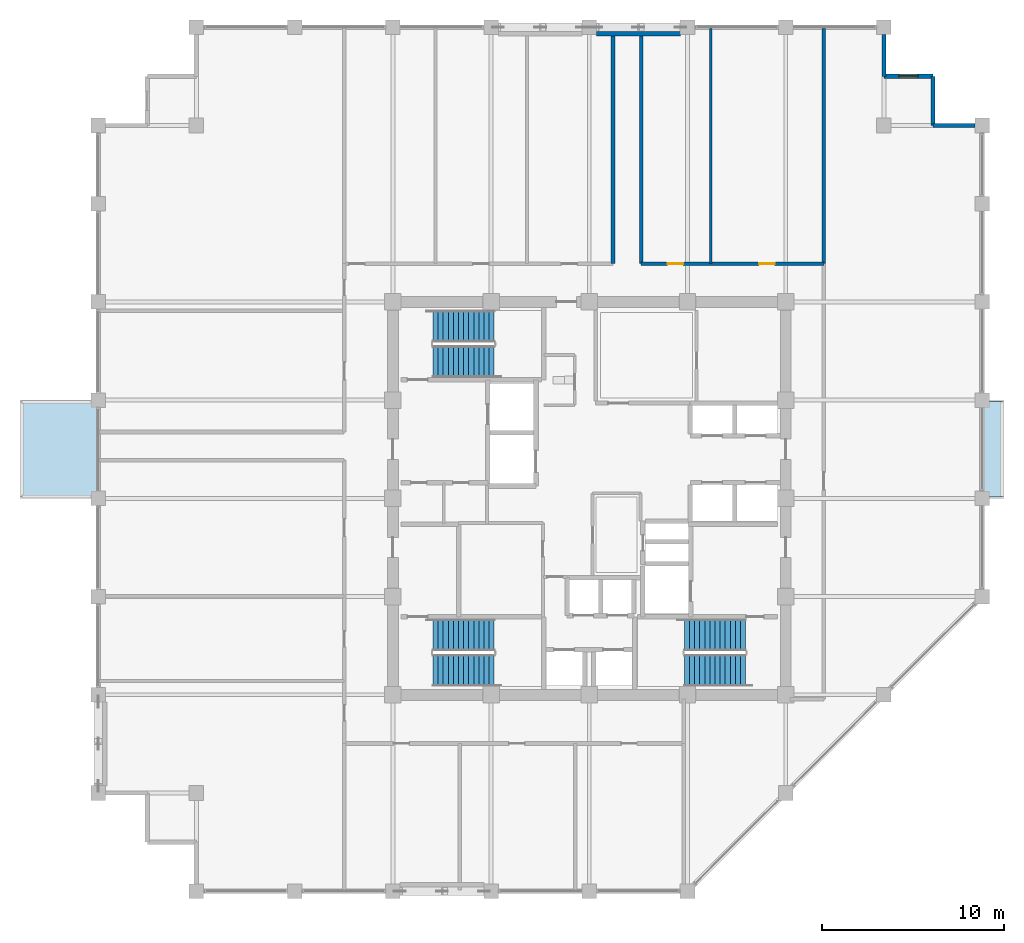
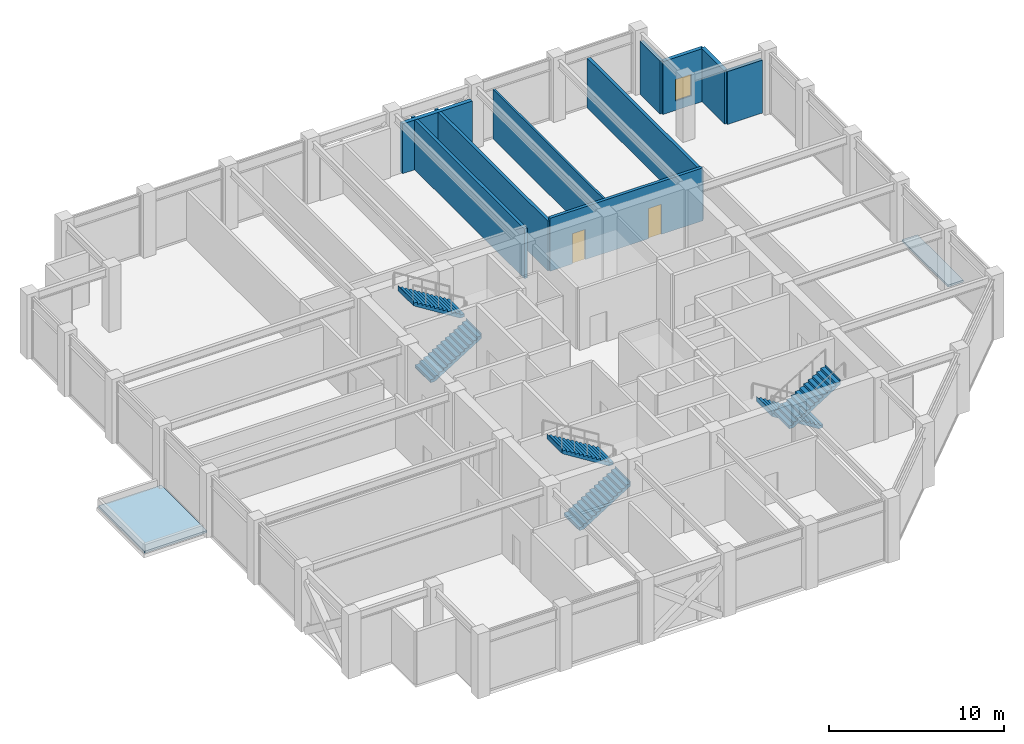
# One storey, part 26 of 28: 10 walls, 6 stair flights, 2 doors, 2 roofs, 1 window, 3 openings, 3 elements without a shape of their own.
"""IFC4 building model written with IfcOpenShell, lengths in metres."""

import ifcopenshell
import ifcopenshell.guid

model = None  # the IFC model being written
_history = None  # IfcOwnerHistory: only IFC2X3 demands one
_inside = {}  # id of a spatial element -> (the spatial element, [elements in it])
_under = {}  # id of a project, library or spatial element -> (it, [spatial elements below it])
_declared = {}  # id of a project -> (the project, [libraries it declares])
_typed = {}  # id of a type object -> (the type object, [elements of that type])
_made_of = {}  # id of a material, layer set ... -> (it, [elements and type objects made of it])


def new_model(schema):
    """Start an empty IFC model of exactly this schema.

    Asked for "IFC4X3", IfcOpenShell would pick the latest addendum, in which some entities
    have other attributes; the version numbers below select the first issue.
    IFC2X3 requires an IfcOwnerHistory on every rooted entity: one is made here for all.
    """
    global model, _history
    if schema == "IFC4X3":
        model = ifcopenshell.file(schema_version=(4, 3, 0, 0))
    else:
        model = ifcopenshell.file(schema=schema)
    _inside.clear()
    _under.clear()
    _declared.clear()
    _typed.clear()
    _made_of.clear()
    _history = None
    if model.schema == "IFC2X3":
        org = make("IfcOrganization", Name="unknown")
        user = make(
            "IfcPersonAndOrganization",
            ThePerson=make("IfcPerson", FamilyName="unknown"),
            TheOrganization=org,
        )
        app = make(
            "IfcApplication",
            ApplicationDeveloper=org,
            Version="unknown",
            ApplicationFullName="unknown",
            ApplicationIdentifier="unknown",
        )
        _history = make(
            "IfcOwnerHistory",
            OwningUser=user,
            OwningApplication=app,
            ChangeAction="ADDED",
            CreationDate=0,
        )
    return model


def make(cls, **values):
    """One entity of the class cls with the attributes given. An attribute that is None is left unset."""
    return model.create_entity(
        cls, **{name: value for name, value in values.items() if value is not None}
    )


def rooted(cls, **values):
    """An entity with a GlobalId (a new one), such as an element, a storey or a relation."""
    return make(cls, GlobalId=ifcopenshell.guid.new(), OwnerHistory=_history, **values)


def si_unit(unit_type, name, prefix=None):
    """IfcSIUnit, for example si_unit("LENGTHUNIT", "METRE", prefix="MILLI")."""
    return make("IfcSIUnit", UnitType=unit_type, Prefix=prefix, Name=name)


def assignment(units):
    """IfcUnitAssignment: the units of a project."""
    return None if units is None else make("IfcUnitAssignment", Units=units)


def point(xyz):
    """IfcCartesianPoint."""
    return None if xyz is None else make("IfcCartesianPoint", Coordinates=xyz)


def direction(xyz):
    """IfcDirection."""
    return None if xyz is None else make("IfcDirection", DirectionRatios=xyz)


def frame(location, z_axis=None, x_axis=None):
    """IfcAxis2Placement3D, a coordinate frame: its origin and axes. An axis left out is left unset."""
    return make(
        "IfcAxis2Placement3D",
        Location=point(location),
        Axis=direction(z_axis),
        RefDirection=direction(x_axis),
    )


def frame_2d(location, x_axis=None):
    """IfcAxis2Placement2D, a coordinate frame in the plane: its origin and x axis."""
    return make(
        "IfcAxis2Placement2D", Location=point(location), RefDirection=direction(x_axis)
    )


def origin():
    """The frame at (0, 0, 0) with its axes left unset."""
    return frame((0.0, 0.0, 0.0))


def place(relative_to, where):
    """IfcLocalPlacement: puts the frame where relative to a parent placement (None: the world)."""
    return make(
        "IfcLocalPlacement", PlacementRelTo=relative_to, RelativePlacement=where
    )


def context(
    kind, dimensions, precision=None, world=None, true_north=None, identifier=None
):
    """IfcGeometricRepresentationContext, for example the 3D "Model" context."""
    return make(
        "IfcGeometricRepresentationContext",
        ContextIdentifier=identifier,
        ContextType=kind,
        CoordinateSpaceDimension=dimensions,
        Precision=precision,
        WorldCoordinateSystem=world,
        TrueNorth=true_north,
    )


def subcontext(parent, identifier, kind, view, scale=None):
    """IfcGeometricRepresentationSubContext, for example "Body" below "Model"."""
    return make(
        "IfcGeometricRepresentationSubContext",
        ContextIdentifier=identifier,
        ContextType=kind,
        ParentContext=parent,
        TargetScale=scale,
        TargetView=view,
    )


def project(units=None, contexts=None):
    """IfcProject with its units and contexts."""
    return rooted(
        "IfcProject",
        Name="project",
        RepresentationContexts=contexts,
        UnitsInContext=assignment(units),
    )


def spatial(cls, under=None, at=None, **own):
    """A site, building, storey or space (cls), placed at a placement, below another one or the project."""
    s = rooted(cls, ObjectPlacement=at, **own)
    if under is not None:
        _under.setdefault(under.id(), (under, []))[1].append(s)
    return s


def polyline(points):
    """IfcPolyline through the points."""
    return make("IfcPolyline", Points=[point(p) for p in points])


def profile(cls, at=None, kind="AREA", **sizes):
    """A parametric profile (cls). Its sizes go by their IFC names, for example OverallWidth=200.0."""
    return make(cls, ProfileType=kind, Position=at, **sizes)


def rectangle(**sizes):
    """IfcRectangleProfileDef."""
    return profile("IfcRectangleProfileDef", **sizes)


def outline(outer, holes=None, kind="AREA"):
    """IfcArbitraryClosedProfileDef: a profile drawn as a closed curve; with holes, ...WithVoids."""
    if holes is None:
        return make("IfcArbitraryClosedProfileDef", ProfileType=kind, OuterCurve=outer)
    return make(
        "IfcArbitraryProfileDefWithVoids",
        ProfileType=kind,
        OuterCurve=outer,
        InnerCurves=holes,
    )


def extrude(swept, where, along, depth):
    """IfcExtrudedAreaSolid: the profile swept, set in the frame where, extruded along a direction by depth."""
    return make(
        "IfcExtrudedAreaSolid",
        SweptArea=swept,
        Position=where,
        ExtrudedDirection=direction(along),
        Depth=depth,
    )


def shape(context_of_items, identifier, shape_type, items):
    """IfcShapeRepresentation: the items that make up one representation, for example the "Body"."""
    return make(
        "IfcShapeRepresentation",
        ContextOfItems=context_of_items,
        RepresentationIdentifier=identifier,
        RepresentationType=shape_type,
        Items=items,
    )


def material(Name=None, Category=None):
    """IfcMaterial."""
    return make("IfcMaterial", Name=Name, Category=Category)


def layer(
    of_material, thickness, ventilated=None, Name=None, Category=None, Priority=None
):
    """IfcMaterialLayer: one layer of a wall or slab, of a material (None: an air gap)."""
    return make(
        "IfcMaterialLayer",
        Material=of_material,
        LayerThickness=thickness,
        IsVentilated=ventilated,
        Name=Name,
        Category=Category,
        Priority=Priority,
    )


def layer_set(layers, Name=None):
    """IfcMaterialLayerSet."""
    return make("IfcMaterialLayerSet", MaterialLayers=layers, LayerSetName=Name)


def made_of(thing, what):
    """Note that an element or type object is made of a material, layer set ...; save() writes the relation."""
    if what is not None:
        _made_of.setdefault(what.id(), (what, []))[1].append(thing)
    return thing


def type_object(cls, material=None, **own):
    """A type object (cls), such as IfcWallType, which elements share."""
    return made_of(rooted(cls, **own), material)


def element(
    cls,
    number,
    at=None,
    inside=None,
    cuts=None,
    type_object=None,
    material=None,
    context=None,
    identifier="Body",
    shape_type=None,
    held_by="IfcProductDefinitionShape",
    body=None,
    shapes=None,
    **own,
):
    """One element of the class cls, such as IfcWall. Its Tag is "e" and its number.

    at: its placement. inside: the storey or other place that contains it. cuts: it is an
    opening in that element (IfcRelVoidsElement). A single representation is given by context,
    identifier, shape_type and body (its items); several are given by shapes. held_by: the class
    of the entity that holds the representations. save() writes the other relations.
    """
    e = rooted(cls, Tag="e%d" % number, ObjectPlacement=at, **own)
    if body is not None:
        shapes = [shape(context, identifier, shape_type, body)]
    if shapes is not None:
        e.Representation = make(held_by, Representations=shapes)
    if inside is not None:
        _inside.setdefault(inside.id(), (inside, []))[1].append(e)
    if cuts is not None:
        rooted(
            "IfcRelVoidsElement", RelatingBuildingElement=cuts, RelatedOpeningElement=e
        )
    if type_object is not None:
        _typed.setdefault(type_object.id(), (type_object, []))[1].append(e)
    return made_of(e, material)


def fill(opening, filler):
    """IfcRelFillsElement: the door or window that sits in an opening."""
    return rooted(
        "IfcRelFillsElement",
        RelatingOpeningElement=opening,
        RelatedBuildingElement=filler,
    )


def aggregate(whole, parts):
    """IfcRelAggregates: a whole, such as a stair, and the parts it consists of."""
    return rooted("IfcRelAggregates", RelatingObject=whole, RelatedObjects=parts)


def save(model, path):
    """Write the relations noted so far, then the file.

    IfcRelAggregates (storeys below a building ...), IfcRelContainedInSpatialStructure (elements
    in a storey), IfcRelDefinesByType, IfcRelAssociatesMaterial and IfcRelDeclares: one each for
    every whole, place, type object, material and project.
    """
    for whole, parts in _under.values():
        aggregate(whole, parts)
    for where, things in _inside.values():
        rooted(
            "IfcRelContainedInSpatialStructure",
            RelatedElements=things,
            RelatingStructure=where,
        )
    for kind, things in _typed.values():
        rooted("IfcRelDefinesByType", RelatedObjects=things, RelatingType=kind)
    for what, things in _made_of.values():
        rooted("IfcRelAssociatesMaterial", RelatedObjects=things, RelatingMaterial=what)
    for by, libraries in _declared.values():
        rooted("IfcRelDeclares", RelatingContext=by, RelatedDefinitions=libraries)
    model.write(path)


model = new_model("IFC4")

# Units and contexts
model_context = context("Model", 3, precision=1e-05, world=origin(), true_north=direction((0.0, 1.0)))
body_context = subcontext(model_context, "Body", "Model", "MODEL_VIEW")
ifc_project = project(units=[si_unit("LENGTHUNIT", "METRE"), si_unit("AREAUNIT", "SQUARE_METRE"), si_unit("VOLUMEUNIT", "CUBIC_METRE"), si_unit("PLANEANGLEUNIT", "RADIAN"), si_unit("MASSUNIT", "GRAM", prefix="KILO")], contexts=[model_context])

# Site, building, storey
site_placement = place(None, origin())
site = spatial("IfcSite", under=ifc_project, at=site_placement, CompositionType="ELEMENT")
building_placement = place(site_placement, origin())
building = spatial("IfcBuilding", under=site, at=building_placement, Name="Surkhivell Harbour Commons", CompositionType="ELEMENT")
storey_placement = place(building_placement, frame((0.0, 0.0, 249.75)))
storey = spatial("IfcBuildingStorey", under=building, at=storey_placement, Name="L65", CompositionType="ELEMENT", Elevation=249.75)

# Walls
ifc_material_1 = material(Name="Pale-metal insulated precast concrete C45/55", Category="concrete")
ifc_layer_1 = layer(ifc_material_1, 0.260009765625)
ifc_layer_set_1 = layer_set([ifc_layer_1], Name="Pale-metal insulated precast concrete C45/55")
wall_type_1 = type_object("IfcWallType", Name="WAL-EXT-MTL260", PredefinedType="STANDARD", material=ifc_layer_set_1)
wall_1_placement = place(storey_placement, frame((5.001953125, 25.5400390625, 0.0), z_axis=(0.0, 0.0, 1.0), x_axis=(-1.0, 0.0, 0.0)))
element("IfcWall", 1, at=wall_1_placement, inside=storey, type_object=wall_type_1, Name="L65 Braced-Bay Insulated Spandrel Backing N2", PredefinedType="STANDARD", context=body_context, shape_type="SweptSolid", body=[
    extrude(rectangle(XDim=4.60400390625, YDim=0.260009765625, at=frame_2d((2.302001953125, 0.0))), origin(), (0.0, 0.0, 1.0), 3.4599609375),
])
ifc_material_2 = material(Name="Bronze-ochre cassette precast concrete C45/55", Category="concrete")
ifc_layer_2 = layer(ifc_material_2, 0.239990234375)
ifc_layer_set_2 = layer_set([ifc_layer_2], Name="Bronze-ochre cassette precast concrete C45/55")
wall_type_2 = type_object("IfcWallType", Name="WAL-EXT-OCH240", PredefinedType="STANDARD", material=ifc_layer_set_2)
wall_2_placement = place(storey_placement, frame((21.201904296875, 20.5, 0.0), z_axis=(0.0, 0.0, 1.0), x_axis=(-1.0, 0.0, 0.0)))
element("IfcWall", 2, at=wall_2_placement, inside=storey, type_object=wall_type_2, Name="L65 Serrated Corner Facade Wall 03", PredefinedType="STANDARD", context=body_context, shape_type="SweptSolid", body=[
    extrude(rectangle(XDim=2.302001953125, YDim=0.239990234375, at=frame_2d((1.15087890625, 0.0))), origin(), (0.0, 0.0, 1.0), 3.68603515625),
])
wall_3_placement = place(storey_placement, frame((18.89990234375, 20.5, 0.0), z_axis=(0.0, 0.0, 1.0), x_axis=(0.0, 1.0, 0.0)))
element("IfcWall", 3, at=wall_3_placement, inside=storey, type_object=wall_type_2, Name="L65 Serrated Corner Facade Wall 04", PredefinedType="STANDARD", context=body_context, shape_type="SweptSolid", body=[
    extrude(rectangle(XDim=2.699951171875, YDim=0.239990234375, at=frame_2d((1.35009765625, 0.0))), origin(), (0.0, 0.0, 1.0), 3.68603515625),
])

# Wall, opening, window
wall_4_placement = place(storey_placement, frame((18.89990234375, 23.199951171875, 0.0), z_axis=(0.0, 0.0, 1.0), x_axis=(-1.0, 0.0, 0.0)))
wall_4 = element("IfcWall", 4, at=wall_4_placement, inside=storey, type_object=wall_type_2, Name="L65 Serrated Corner Facade Wall 05", PredefinedType="STANDARD", context=body_context, shape_type="SweptSolid", body=[
    extrude(rectangle(XDim=2.699951171875, YDim=0.239990234375, at=frame_2d((1.35009765625, 0.0))), origin(), (0.0, 0.0, 1.0), 3.68603515625),
])
opening_1_placement = place(wall_4_placement, frame((0.824951171875, 0.0, 0.64990234375)))
opening_1 = element("IfcOpeningElement", 5, at=opening_1_placement, cuts=wall_4, Name="Opening WN-11", PredefinedType="OPENING", context=body_context, shape_type="SweptSolid", body=[
    extrude(rectangle(XDim=1.050048828125, YDim=1.5, at=frame_2d((0.52490234375, 0.75))), frame((0.0, 0.1298828125, 0.0), z_axis=(0.0, -1.0, 0.0), x_axis=(1.0, 0.0, 0.0)), (0.0, 0.0, 1.0), 0.260009765625),
])
ifc_material_3 = material(Name="Thermal-break aluminium frame and double low-E glazing", Category="aluminium")
window_type = type_object("IfcWindowType", Name="WIN-SER-1050x1500", PartitioningType="SINGLE_PANEL", PredefinedType="WINDOW", material=ifc_material_3)
window_placement = place(opening_1_placement, origin())
window = element("IfcWindow", 6, at=window_placement, inside=storey, type_object=window_type, Name="L65 Serrated Alcove Window 05", OverallHeight=1.5, OverallWidth=1.050048828125, PartitioningType="SINGLE_PANEL", PredefinedType="WINDOW", context=body_context, shape_type="SweptSolid", body=[
    extrude(rectangle(XDim=1.050048828125, YDim=1.5, at=frame_2d((0.52490234375, 0.75))), frame((0.0, 0.030029296875, 0.0), z_axis=(0.0, -1.0, 0.0), x_axis=(1.0, 0.0, 0.0)), (0.0, 0.0, 1.0), 0.06005859375),
])
fill(opening_1, window)

# Walls
wall_5_placement = place(storey_placement, frame((16.199951171875, 23.199951171875, 0.0), z_axis=(0.0, 0.0, 1.0), x_axis=(0.0, 1.0, 0.0)))
element("IfcWall", 7, at=wall_5_placement, inside=storey, type_object=wall_type_2, Name="L65 Serrated Corner Facade Wall 06", PredefinedType="STANDARD", context=body_context, shape_type="SweptSolid", body=[
    extrude(rectangle(XDim=2.302001953125, YDim=0.239990234375, at=frame_2d((1.15087890625, 0.0))), origin(), (0.0, 0.0, 1.0), 3.68603515625),
])
ifc_material_4 = material(Name="Moisture-resistant acoustic stud partition", Category="other")
ifc_layer_3 = layer(ifc_material_4, 0.125)
ifc_layer_set_3 = layer_set([ifc_layer_3], Name="Moisture-resistant acoustic stud partition")
wall_type_3 = type_object("IfcWallType", Name="WAL-INT-125", PredefinedType="PARTITIONING", material=ifc_layer_set_3)
wall_6_placement = place(storey_placement, frame((6.669921875, 12.89990234375, 0.0), z_axis=(0.0, 0.0, 1.0), x_axis=(0.0, 1.0, 0.0)))
element("IfcWall", 8, at=wall_6_placement, inside=storey, type_object=wall_type_3, Name="L65 North-East Partition P1", PredefinedType="PARTITIONING", context=body_context, shape_type="SweptSolid", body=[
    extrude(rectangle(XDim=12.940185546875, YDim=0.125, at=frame_2d((6.47021484375, 0.0))), origin(), (0.0, 0.0, 1.0), 3.4599609375),
])
ifc_material_5 = material(Name="Autoclaved aerated concrete blockwork and fire plaster", Category="masonry")
ifc_layer_4 = layer(ifc_material_5, 0.199951171875)
ifc_layer_set_4 = layer_set([ifc_layer_4], Name="Autoclaved aerated concrete blockwork and fire plaster")
wall_type_4 = type_object("IfcWallType", Name="WAL-INT-200", PredefinedType="PARTITIONING", material=ifc_layer_set_4)
wall_7_placement = place(storey_placement, frame((12.89990234375, 12.89990234375, 0.0), z_axis=(0.0, 0.0, 1.0), x_axis=(0.0, 1.0, 0.0)))
element("IfcWall", 9, at=wall_7_placement, inside=storey, type_object=wall_type_4, Name="L65 North-East Corner Wall", PredefinedType="PARTITIONING", context=body_context, shape_type="SweptSolid", body=[
    extrude(rectangle(XDim=12.940185546875, YDim=0.199951171875, at=frame_2d((6.47021484375, 0.0))), origin(), (0.0, 0.0, 1.0), 3.4599609375),
])

# Wall, openings, doors
wall_8_placement = place(storey_placement, frame((2.85009765625, 12.89990234375, 0.0), z_axis=(0.0, 0.0, 1.0), x_axis=(1.0, 0.0, 0.0)))
wall_8 = element("IfcWall", 10, at=wall_8_placement, inside=storey, type_object=wall_type_4, Name="L65 Corridor North-East Wall", PredefinedType="PARTITIONING", context=body_context, shape_type="SweptSolid", body=[
    extrude(rectangle(XDim=10.0498046875, YDim=0.199951171875, at=frame_2d((5.02490234375, 0.0))), origin(), (0.0, 0.0, 1.0), 3.68603515625),
])
opening_2_placement = place(wall_8_placement, frame((1.4599609375, 0.0, 0.0)))
opening_2 = element("IfcOpeningElement", 11, at=opening_2_placement, cuts=wall_8, Name="Opening ID-6", PredefinedType="OPENING", context=body_context, shape_type="SweptSolid", body=[
    extrude(rectangle(XDim=0.85009765625, YDim=2.10009765625, at=frame_2d((0.425048828125, 1.050048828125))), frame((0.0, 0.10986328125, 0.0), z_axis=(0.0, -1.0, 0.0), x_axis=(1.0, 0.0, 0.0)), (0.0, 0.0, 1.0), 0.219970703125),
])
opening_3_placement = place(wall_8_placement, frame((6.485107421875, 0.0, 0.0)))
opening_3 = element("IfcOpeningElement", 12, at=opening_3_placement, cuts=wall_8, Name="Opening ID-6", PredefinedType="OPENING", context=body_context, shape_type="SweptSolid", body=[
    extrude(rectangle(XDim=0.85009765625, YDim=2.10009765625, at=frame_2d((0.425048828125, 1.050048828125))), frame((0.0, 0.10986328125, 0.0), z_axis=(0.0, -1.0, 0.0), x_axis=(1.0, 0.0, 0.0)), (0.0, 0.0, 1.0), 0.219970703125),
])
ifc_material_6 = material(Name="Hardwood-veneered fire-rated door leaf", Category="wood")
door_type = type_object("IfcDoorType", Name="DOR-FD30-850", OperationType="NOTDEFINED", PredefinedType="DOOR", material=ifc_material_6)
door_1_placement = place(opening_2_placement, origin())
door_1 = element("IfcDoor", 13, at=door_1_placement, inside=storey, type_object=door_type, Name="L65 Harbour Reading Library North-East Door", OperationType="SINGLE_SWING_LEFT", OverallHeight=2.10009765625, OverallWidth=0.85009765625, PredefinedType="DOOR", context=body_context, shape_type="SweptSolid", body=[
    extrude(rectangle(XDim=0.85009765625, YDim=2.10009765625, at=frame_2d((0.425048828125, 1.050048828125))), frame((0.0, 0.02490234375, 0.0), z_axis=(0.0, -1.0, 0.0), x_axis=(1.0, 0.0, 0.0)), (0.0, 0.0, 1.0), 0.050048828125),
])
fill(opening_2, door_1)
door_2_placement = place(opening_3_placement, origin())
door_2 = element("IfcDoor", 14, at=door_2_placement, inside=storey, type_object=door_type, Name="L65 Communal Dining Hall North-East Door", OperationType="SINGLE_SWING_RIGHT", OverallHeight=2.10009765625, OverallWidth=0.85009765625, PredefinedType="DOOR", context=body_context, shape_type="SweptSolid", body=[
    extrude(rectangle(XDim=0.85009765625, YDim=2.10009765625, at=frame_2d((0.425048828125, 1.050048828125))), frame((0.0, 0.02490234375, 0.0), z_axis=(0.0, -1.0, 0.0), x_axis=(1.0, 0.0, 0.0)), (0.0, 0.0, 1.0), 0.050048828125),
])
fill(opening_3, door_2)

# Walls
for number, where, z_axis, x_axis, name in (
    (15, (2.85009765625, 12.89990234375, 0.0), (0.0, 0.0, 1.0), (0.0, 1.0, 0.0), "L65 North Spur East Wall"),
    (16, (1.300048828125, 12.89990234375, 0.0), (0.0, 0.0, 1.0), (0.0, 1.0, 0.0), "L65 North Spur West Wall"),
):
    element("IfcWall", number, at=place(storey_placement, frame(where, z_axis=z_axis, x_axis=x_axis)), inside=storey, type_object=wall_type_4, Name=name, PredefinedType="PARTITIONING", context=body_context, shape_type="SweptSolid", body=[
        extrude(rectangle(XDim=12.940185546875, YDim=0.199951171875, at=frame_2d((6.47021484375, 0.0))), origin(), (0.0, 0.0, 1.0), 3.4599609375),
    ])

# Stair, stair flights
ifc_material_7 = material(Name="Precast concrete C45/55", Category="concrete")
stair_type = type_object("IfcStairType", Name="STR-DL-450", PredefinedType="HALF_TURN_STAIR", material=ifc_material_7)
stair_1_placement = place(storey_placement, origin())
stair_1 = element("IfcStair", 17, at=stair_1_placement, inside=storey, type_object=stair_type, Name="L65 Core Exit Stair ST1", PredefinedType="HALF_TURN_STAIR")
stair_flight_type = type_object("IfcStairFlightType", Name="STF-DL-450", PredefinedType="STRAIGHT", material=ifc_material_7)
stair_flight_1_placement = place(storey_placement, frame((-8.590087890625, 7.514892578125, 0.0), z_axis=(0.0, 0.0, 1.0), x_axis=(1.0, 0.0, 0.0)))
stair_flight_1 = element("IfcStairFlight", 18, at=stair_flight_1_placement, type_object=stair_flight_type, Name="ST1 flight 1", NumberOfRisers=13, NumberOfTreads=12, PredefinedType="STRAIGHT", RiserHeight=0.173076923, TreadLength=0.28, context=body_context, shape_type="SweptSolid", body=[
    extrude(outline(polyline([(-0.0029296875, -0.034912109375), (-0.0029296875, 0.0), (0.0, 0.0), (0.0, 0.173095703125), (0.280029296875, 0.173095703125), (0.280029296875, 0.34619140625), (0.56005859375, 0.34619140625), (0.56005859375, 0.519287109375), (0.840087890625, 0.519287109375), (0.840087890625, 0.6923828125), (1.1201171875, 0.6923828125), (1.1201171875, 0.865478515625), (1.39990234375, 0.865478515625), (1.39990234375, 1.03857421875), (1.679931640625, 1.03857421875), (1.679931640625, 1.21142578125), (1.9599609375, 1.21142578125), (1.9599609375, 1.384521484375), (2.239990234375, 1.384521484375), (2.239990234375, 1.5576171875), (2.52001953125, 1.5576171875), (2.52001953125, 1.730712890625), (2.800048828125, 1.730712890625), (2.800048828125, 1.90380859375), (3.080078125, 1.90380859375), (3.080078125, 2.076904296875), (3.360107421875, 2.076904296875), (3.360107421875, 2.25), (3.363037109375, 2.25), (3.363037109375, 1.900634765625), (0.28515625, -0.034912109375), (-0.0029296875, -0.034912109375)])), frame((0.0, 0.875, 0.0), z_axis=(0.0, -1.0, 0.0), x_axis=(1.0, 0.0, 0.0)), (0.0, 0.0, 1.0), 1.75),
])
stair_flight_2_placement = place(storey_placement, frame((-5.22998046875, 9.465087890625, 2.25), z_axis=(0.0, 0.0, 1.0), x_axis=(-1.0, 0.0, 0.0)))
stair_flight_2 = element("IfcStairFlight", 19, at=stair_flight_2_placement, type_object=stair_flight_type, Name="ST1 flight 2", NumberOfRisers=13, NumberOfTreads=12, PredefinedType="STRAIGHT", RiserHeight=0.173076923, TreadLength=0.28, context=body_context, shape_type="SweptSolid", body=[
    extrude(outline(polyline([(-0.0029296875, -0.034912109375), (-0.0029296875, 0.0), (0.0, 0.0), (0.0, 0.173095703125), (0.280029296875, 0.173095703125), (0.280029296875, 0.34619140625), (0.56005859375, 0.34619140625), (0.56005859375, 0.519287109375), (0.840087890625, 0.519287109375), (0.840087890625, 0.6923828125), (1.1201171875, 0.6923828125), (1.1201171875, 0.865478515625), (1.39990234375, 0.865478515625), (1.39990234375, 1.03857421875), (1.679931640625, 1.03857421875), (1.679931640625, 1.21142578125), (1.9599609375, 1.21142578125), (1.9599609375, 1.384521484375), (2.239990234375, 1.384521484375), (2.239990234375, 1.5576171875), (2.52001953125, 1.5576171875), (2.52001953125, 1.730712890625), (2.800048828125, 1.730712890625), (2.800048828125, 1.90380859375), (3.080078125, 1.90380859375), (3.080078125, 2.076904296875), (3.360107421875, 2.076904296875), (3.360107421875, 2.25), (3.363037109375, 2.25), (3.363037109375, 1.900634765625), (0.28515625, -0.034912109375), (-0.0029296875, -0.034912109375)])), frame((0.0, 0.875, 0.0), z_axis=(0.0, -1.0, 0.0), x_axis=(1.0, 0.0, 0.0)), (0.0, 0.0, 1.0), 1.75),
])
aggregate(stair_1, [stair_flight_1, stair_flight_2])

stair_2_placement = place(storey_placement, origin())
stair_2 = element("IfcStair", 20, at=stair_2_placement, inside=storey, type_object=stair_type, Name="L65 Core Exit Stair ST2", PredefinedType="HALF_TURN_STAIR")
stair_flight_3_placement = place(storey_placement, frame((8.590087890625, -7.514892578125, 0.0), z_axis=(0.0, 0.0, 1.0), x_axis=(-1.0, 0.0, 0.0)))
stair_flight_3 = element("IfcStairFlight", 21, at=stair_flight_3_placement, type_object=stair_flight_type, Name="ST2 flight 1", NumberOfRisers=13, NumberOfTreads=12, PredefinedType="STRAIGHT", RiserHeight=0.173076923, TreadLength=0.28, context=body_context, shape_type="SweptSolid", body=[
    extrude(outline(polyline([(-0.0029296875, -0.034912109375), (-0.0029296875, 0.0), (0.0, 0.0), (0.0, 0.173095703125), (0.280029296875, 0.173095703125), (0.280029296875, 0.34619140625), (0.56005859375, 0.34619140625), (0.56005859375, 0.519287109375), (0.840087890625, 0.519287109375), (0.840087890625, 0.6923828125), (1.1201171875, 0.6923828125), (1.1201171875, 0.865478515625), (1.39990234375, 0.865478515625), (1.39990234375, 1.03857421875), (1.679931640625, 1.03857421875), (1.679931640625, 1.21142578125), (1.9599609375, 1.21142578125), (1.9599609375, 1.384521484375), (2.239990234375, 1.384521484375), (2.239990234375, 1.5576171875), (2.52001953125, 1.5576171875), (2.52001953125, 1.730712890625), (2.800048828125, 1.730712890625), (2.800048828125, 1.90380859375), (3.080078125, 1.90380859375), (3.080078125, 2.076904296875), (3.360107421875, 2.076904296875), (3.360107421875, 2.25), (3.363037109375, 2.25), (3.363037109375, 1.900634765625), (0.28515625, -0.034912109375), (-0.0029296875, -0.034912109375)])), frame((0.0, 0.875, 0.0), z_axis=(0.0, -1.0, 0.0), x_axis=(1.0, 0.0, 0.0)), (0.0, 0.0, 1.0), 1.75),
])
stair_flight_4_placement = place(storey_placement, frame((5.22998046875, -9.465087890625, 2.25), z_axis=(0.0, 0.0, 1.0), x_axis=(1.0, 0.0, 0.0)))
stair_flight_4 = element("IfcStairFlight", 22, at=stair_flight_4_placement, type_object=stair_flight_type, Name="ST2 flight 2", NumberOfRisers=13, NumberOfTreads=12, PredefinedType="STRAIGHT", RiserHeight=0.173076923, TreadLength=0.28, context=body_context, shape_type="SweptSolid", body=[
    extrude(outline(polyline([(-0.0029296875, -0.034912109375), (-0.0029296875, 0.0), (0.0, 0.0), (0.0, 0.173095703125), (0.280029296875, 0.173095703125), (0.280029296875, 0.34619140625), (0.56005859375, 0.34619140625), (0.56005859375, 0.519287109375), (0.840087890625, 0.519287109375), (0.840087890625, 0.6923828125), (1.1201171875, 0.6923828125), (1.1201171875, 0.865478515625), (1.39990234375, 0.865478515625), (1.39990234375, 1.03857421875), (1.679931640625, 1.03857421875), (1.679931640625, 1.21142578125), (1.9599609375, 1.21142578125), (1.9599609375, 1.384521484375), (2.239990234375, 1.384521484375), (2.239990234375, 1.5576171875), (2.52001953125, 1.5576171875), (2.52001953125, 1.730712890625), (2.800048828125, 1.730712890625), (2.800048828125, 1.90380859375), (3.080078125, 1.90380859375), (3.080078125, 2.076904296875), (3.360107421875, 2.076904296875), (3.360107421875, 2.25), (3.363037109375, 2.25), (3.363037109375, 1.900634765625), (0.28515625, -0.034912109375), (-0.0029296875, -0.034912109375)])), frame((0.0, 0.875, 0.0), z_axis=(0.0, -1.0, 0.0), x_axis=(1.0, 0.0, 0.0)), (0.0, 0.0, 1.0), 1.75),
])
aggregate(stair_2, [stair_flight_3, stair_flight_4])

stair_3_placement = place(storey_placement, origin())
stair_3 = element("IfcStair", 23, at=stair_3_placement, inside=storey, type_object=stair_type, Name="L65 Core Exit Stair ST3", PredefinedType="HALF_TURN_STAIR")
stair_flight_5_placement = place(storey_placement, frame((-8.590087890625, -9.465087890625, 0.0), z_axis=(0.0, 0.0, 1.0), x_axis=(1.0, 0.0, 0.0)))
stair_flight_5 = element("IfcStairFlight", 24, at=stair_flight_5_placement, type_object=stair_flight_type, Name="ST3 flight 1", NumberOfRisers=13, NumberOfTreads=12, PredefinedType="STRAIGHT", RiserHeight=0.173076923, TreadLength=0.28, context=body_context, shape_type="SweptSolid", body=[
    extrude(outline(polyline([(-0.0029296875, -0.034912109375), (-0.0029296875, 0.0), (0.0, 0.0), (0.0, 0.173095703125), (0.280029296875, 0.173095703125), (0.280029296875, 0.34619140625), (0.56005859375, 0.34619140625), (0.56005859375, 0.519287109375), (0.840087890625, 0.519287109375), (0.840087890625, 0.6923828125), (1.1201171875, 0.6923828125), (1.1201171875, 0.865478515625), (1.39990234375, 0.865478515625), (1.39990234375, 1.03857421875), (1.679931640625, 1.03857421875), (1.679931640625, 1.21142578125), (1.9599609375, 1.21142578125), (1.9599609375, 1.384521484375), (2.239990234375, 1.384521484375), (2.239990234375, 1.5576171875), (2.52001953125, 1.5576171875), (2.52001953125, 1.730712890625), (2.800048828125, 1.730712890625), (2.800048828125, 1.90380859375), (3.080078125, 1.90380859375), (3.080078125, 2.076904296875), (3.360107421875, 2.076904296875), (3.360107421875, 2.25), (3.363037109375, 2.25), (3.363037109375, 1.900634765625), (0.28515625, -0.034912109375), (-0.0029296875, -0.034912109375)])), frame((0.0, 0.875, 0.0), z_axis=(0.0, -1.0, 0.0), x_axis=(1.0, 0.0, 0.0)), (0.0, 0.0, 1.0), 1.75),
])
stair_flight_6_placement = place(storey_placement, frame((-5.22998046875, -7.514892578125, 2.25), z_axis=(0.0, 0.0, 1.0), x_axis=(-1.0, 0.0, 0.0)))
stair_flight_6 = element("IfcStairFlight", 25, at=stair_flight_6_placement, type_object=stair_flight_type, Name="ST3 flight 2", NumberOfRisers=13, NumberOfTreads=12, PredefinedType="STRAIGHT", RiserHeight=0.173076923, TreadLength=0.28, context=body_context, shape_type="SweptSolid", body=[
    extrude(outline(polyline([(-0.0029296875, -0.034912109375), (-0.0029296875, 0.0), (0.0, 0.0), (0.0, 0.173095703125), (0.280029296875, 0.173095703125), (0.280029296875, 0.34619140625), (0.56005859375, 0.34619140625), (0.56005859375, 0.519287109375), (0.840087890625, 0.519287109375), (0.840087890625, 0.6923828125), (1.1201171875, 0.6923828125), (1.1201171875, 0.865478515625), (1.39990234375, 0.865478515625), (1.39990234375, 1.03857421875), (1.679931640625, 1.03857421875), (1.679931640625, 1.21142578125), (1.9599609375, 1.21142578125), (1.9599609375, 1.384521484375), (2.239990234375, 1.384521484375), (2.239990234375, 1.5576171875), (2.52001953125, 1.5576171875), (2.52001953125, 1.730712890625), (2.800048828125, 1.730712890625), (2.800048828125, 1.90380859375), (3.080078125, 1.90380859375), (3.080078125, 2.076904296875), (3.360107421875, 2.076904296875), (3.360107421875, 2.25), (3.363037109375, 2.25), (3.363037109375, 1.900634765625), (0.28515625, -0.034912109375), (-0.0029296875, -0.034912109375)])), frame((0.0, 0.875, 0.0), z_axis=(0.0, -1.0, 0.0), x_axis=(1.0, 0.0, 0.0)), (0.0, 0.0, 1.0), 1.75),
])
aggregate(stair_3, [stair_flight_5, stair_flight_6])

# Roofs
ifc_material_8 = material(Name="Vermilion-coral and saffron enamelled aluminium box roof cap", Category="aluminium")
ifc_layer_5 = layer(ifc_material_8, 0.139892578125)
ifc_layer_set_5 = layer_set([ifc_layer_5], Name="Vermilion-coral and saffron enamelled aluminium box roof cap")
roof_type = type_object("IfcRoofType", Name="ROF-BOX-CAP", PredefinedType="FLAT_ROOF", material=ifc_layer_set_5)
roof_1_placement = place(storey_placement, origin())
element("IfcRoof", 26, at=roof_1_placement, inside=storey, type_object=roof_type, Name="L65 Closed Coloured Box Roof Cap 1-1", PredefinedType="FLAT_ROOF", context=body_context, shape_type="SweptSolid", body=[
    extrude(outline(polyline([(21.699951171875, 5.320068359375), (21.699951171875, 0.080078125), (22.719970703125, 0.080078125), (22.719970703125, 5.320068359375), (21.699951171875, 5.320068359375)])), origin(), (0.0, 0.0, 1.0), 0.139892578125),
])
roof_2_placement = place(storey_placement, origin())
element("IfcRoof", 27, at=roof_2_placement, inside=storey, type_object=roof_type, Name="L65 Closed Coloured Box Roof Cap 2-1", PredefinedType="FLAT_ROOF", context=body_context, shape_type="SweptSolid", body=[
    extrude(outline(polyline([(-27.10009765625, 0.080078125), (-27.10009765625, 5.320068359375), (-31.219970703125, 5.320068359375), (-31.219970703125, 0.080078125), (-27.10009765625, 0.080078125)])), origin(), (0.0, 0.0, 1.0), 0.139892578125),
])

save(model, "model.ifc")
